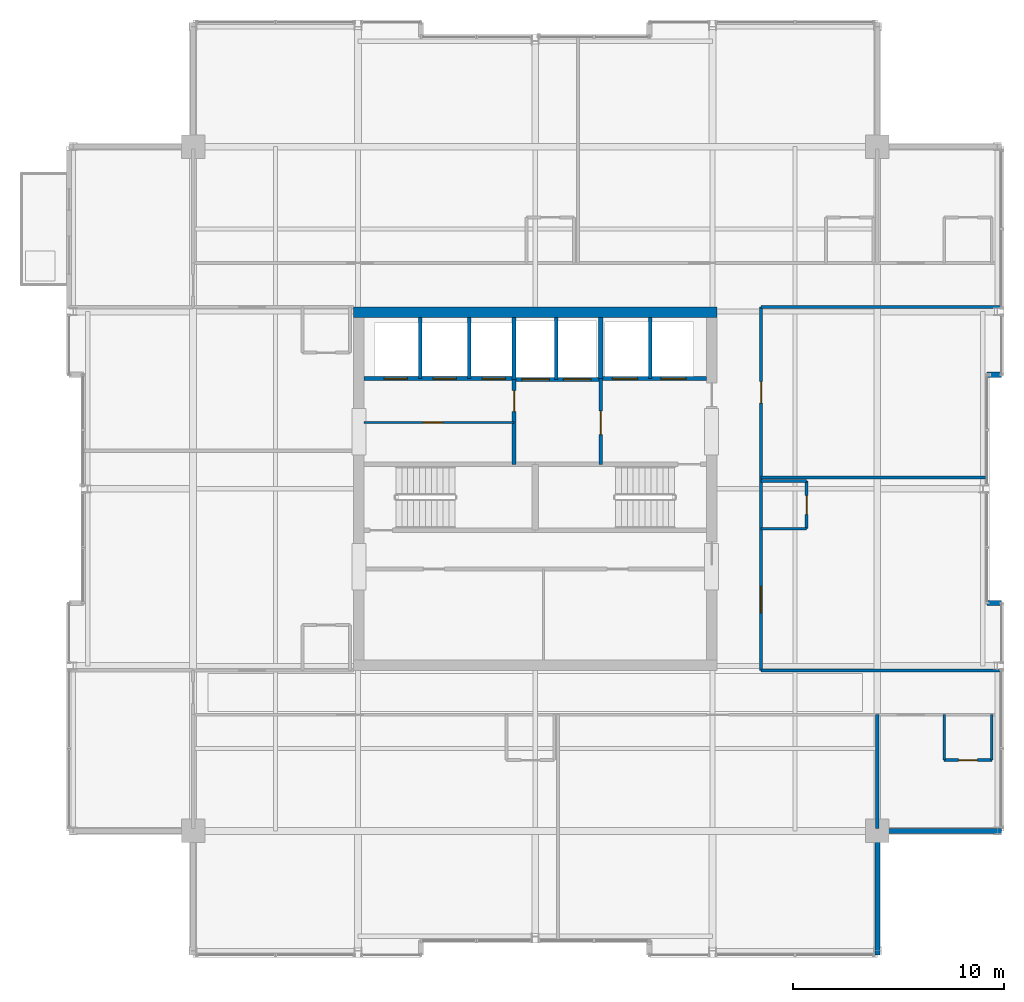
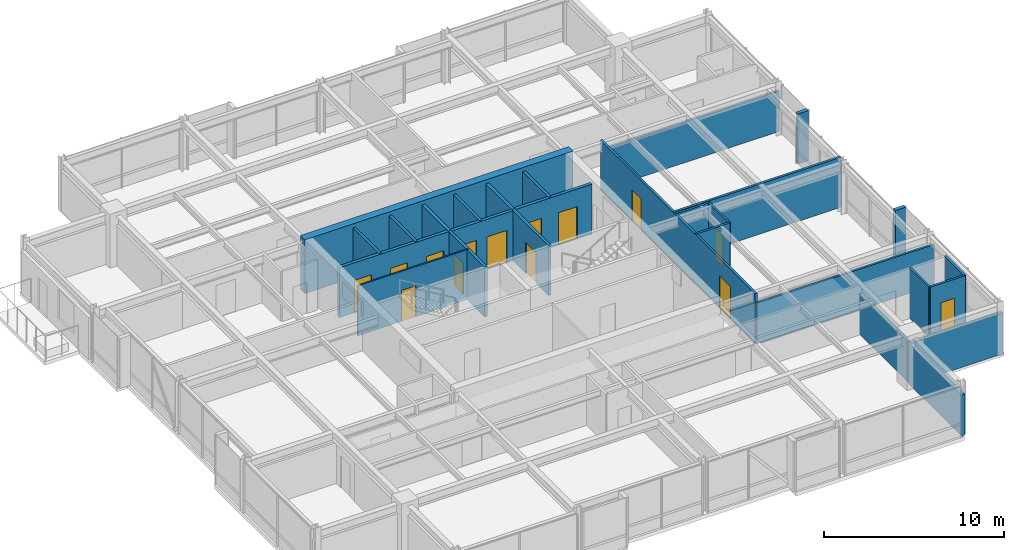
# One storey, part 29 of 33: 28 walls, 14 doors, 14 openings.
"""IFC4 building model written with IfcOpenShell, lengths in metres."""

from ifc_helpers import new_model, si_unit, direction, frame, frame_2d, origin, place, context, subcontext, project, spatial, rectangle, extrude, material, layer, layer_set, type_object, element, fill, save


model = new_model("IFC4")

# Units and contexts
model_context = context("Model", 3, precision=1e-05, world=origin(), true_north=direction((0.0, 1.0)))
body_context = subcontext(model_context, "Body", "Model", "MODEL_VIEW")
ifc_project = project(units=[si_unit("LENGTHUNIT", "METRE"), si_unit("AREAUNIT", "SQUARE_METRE"), si_unit("VOLUMEUNIT", "CUBIC_METRE"), si_unit("PLANEANGLEUNIT", "RADIAN"), si_unit("MASSUNIT", "GRAM", prefix="KILO")], contexts=[model_context])

# Site, building, storey
site_placement = place(None, origin())
site = spatial("IfcSite", under=ifc_project, at=site_placement, CompositionType="ELEMENT")
building_placement = place(site_placement, origin())
building = spatial("IfcBuilding", under=site, at=building_placement, Name="Drelvath Grand Hotel", CompositionType="ELEMENT")
storey_placement = place(building_placement, frame((0.0, 0.0, 279.60009765625)))
storey = spatial("IfcBuildingStorey", under=building, at=storey_placement, Name="L73", CompositionType="ELEMENT", Elevation=279.60009765625)

# Wall, opening, door
ifc_material_1 = material(Name="Gypsum Partition Board")
ifc_layer_1 = layer(ifc_material_1, 0.10009765625)
ifc_layer_set_1 = layer_set([ifc_layer_1], Name="Gypsum Partition Board")
wall_type_1 = type_object("IfcWallType", Name="Core Closet Partition 100", PredefinedType="PARTITIONING", material=ifc_layer_set_1)
wall_1_placement = place(storey_placement, frame((-8.10009765625, 30.139892578125, 0.0), z_axis=(0.0, 0.0, 1.0), x_axis=(1.0, 0.0, 0.0)))
wall_1 = element("IfcWall", 1, at=wall_1_placement, inside=storey, type_object=wall_type_1, Name="L73 High-Rise Lobby Closet Wall", PredefinedType="PARTITIONING", context=body_context, shape_type="SweptSolid", body=[
    extrude(rectangle(XDim=7.10009765625, YDim=0.10009765625, at=frame_2d((3.550048828125, 0.0))), origin(), (0.0, 0.0, 1.0), 3.389892578125),
])
opening_1_placement = place(wall_1_placement, frame((2.800048828125, 0.0, 0.0)))
opening_1 = element("IfcOpeningElement", 2, at=opening_1_placement, cuts=wall_1, Name="Opening D-T5G2-013", PredefinedType="OPENING", context=body_context, shape_type="SweptSolid", body=[
    extrude(rectangle(XDim=0.919921875, YDim=2.10009765625, at=frame_2d((0.4599609375, 1.050048828125))), frame((0.0, 0.06005859375, 0.0), z_axis=(0.0, -1.0, 0.0), x_axis=(1.0, 0.0, 0.0)), (0.0, 0.0, 1.0), 0.1201171875),
])
ifc_material_2 = material(Name="Painted Steel S275", Category="steel")
door_type_1 = type_object("IfcDoorType", Name="Staff Utility Door 920x2100", OperationType="NOTDEFINED", PredefinedType="DOOR", material=ifc_material_2)
door_1_placement = place(opening_1_placement, origin())
door_1 = element("IfcDoor", 3, at=door_1_placement, inside=storey, type_object=door_type_1, Name="L73 Core Telecom Door", OperationType="SINGLE_SWING_RIGHT", OverallHeight=2.10009765625, OverallWidth=0.919921875, PredefinedType="DOOR", context=body_context, shape_type="SweptSolid", body=[
    extrude(rectangle(XDim=0.919921875, YDim=2.10009765625, at=frame_2d((0.4599609375, 1.050048828125))), frame((0.0, 0.02490234375, 0.0), z_axis=(0.0, -1.0, 0.0), x_axis=(1.0, 0.0, 0.0)), (0.0, 0.0, 1.0), 0.050048828125),
])
fill(opening_1, door_1)

# Wall, openings, doors
ifc_material_3 = material(Name="Concrete C40/50", Category="concrete")
ifc_layer_2 = layer(ifc_material_3, 0.199951171875)
ifc_layer_set_2 = layer_set([ifc_layer_2], Name="Concrete C40/50")
wall_type_2 = type_object("IfcWallType", Name="Core Hoistway Fire Wall 200", PredefinedType="SOLIDWALL", material=ifc_layer_set_2)
wall_2_placement = place(storey_placement, frame((3.10009765625, 32.219970703125, 0.0), z_axis=(0.0, 0.0, 1.0), x_axis=(1.0, 0.0, 0.0)))
wall_2 = element("IfcWall", 4, at=wall_2_placement, inside=storey, type_object=wall_type_2, Name="L73 FSAE Hoistway Front Wall", PredefinedType="SOLIDWALL", context=body_context, shape_type="SweptSolid", body=[
    extrude(rectangle(XDim=5.0, YDim=0.199951171875, at=frame_2d((2.5, 0.0))), origin(), (0.0, 0.0, 1.0), 3.389892578125),
])
opening_2_placement = place(wall_2_placement, frame((0.550048828125, 0.0, 0.0)))
opening_2 = element("IfcOpeningElement", 5, at=opening_2_placement, cuts=wall_2, Name="Opening LD-FSAE-1", PredefinedType="OPENING", context=body_context, shape_type="SweptSolid", body=[
    extrude(rectangle(XDim=1.199951171875, YDim=2.199951171875, at=frame_2d((0.60009765625, 1.10009765625))), frame((0.0, 0.10986328125, 0.0), z_axis=(0.0, -1.0, 0.0), x_axis=(1.0, 0.0, 0.0)), (0.0, 0.0, 1.0), 0.219970703125),
])
opening_3_placement = place(wall_2_placement, frame((2.85009765625, 0.0, 0.0)))
opening_3 = element("IfcOpeningElement", 6, at=opening_3_placement, cuts=wall_2, Name="Opening LD-FSAE-2", PredefinedType="OPENING", context=body_context, shape_type="SweptSolid", body=[
    extrude(rectangle(XDim=1.199951171875, YDim=2.199951171875, at=frame_2d((0.60009765625, 1.10009765625))), frame((0.0, 0.10986328125, 0.0), z_axis=(0.0, -1.0, 0.0), x_axis=(1.0, 0.0, 0.0)), (0.0, 0.0, 1.0), 0.219970703125),
])
ifc_material_4 = material(Name="Stainless Steel S355", Category="steel")
door_type_2 = type_object("IfcDoorType", Name="FSAE Lift Sliding Landing Door 1200x2200", OperationType="NOTDEFINED", PredefinedType="DOOR", material=ifc_material_4)
door_2_placement = place(opening_2_placement, origin())
door_2 = element("IfcDoor", 7, at=door_2_placement, inside=storey, type_object=door_type_2, Name="L73 Lift FSAE-1 Landing Door", OperationType="SLIDING_TO_LEFT", OverallHeight=2.199951171875, OverallWidth=1.199951171875, PredefinedType="DOOR", context=body_context, shape_type="SweptSolid", body=[
    extrude(rectangle(XDim=1.199951171875, YDim=2.199951171875, at=frame_2d((0.60009765625, 1.10009765625))), frame((0.0, 0.02490234375, 0.0), z_axis=(0.0, -1.0, 0.0), x_axis=(1.0, 0.0, 0.0)), (0.0, 0.0, 1.0), 0.050048828125),
])
fill(opening_2, door_2)
door_3_placement = place(opening_3_placement, origin())
door_3 = element("IfcDoor", 8, at=door_3_placement, inside=storey, type_object=door_type_2, Name="L73 Lift FSAE-2 Landing Door", OperationType="SLIDING_TO_LEFT", OverallHeight=2.199951171875, OverallWidth=1.199951171875, PredefinedType="DOOR", context=body_context, shape_type="SweptSolid", body=[
    extrude(rectangle(XDim=1.199951171875, YDim=2.199951171875, at=frame_2d((0.60009765625, 1.10009765625))), frame((0.0, 0.02490234375, 0.0), z_axis=(0.0, -1.0, 0.0), x_axis=(1.0, 0.0, 0.0)), (0.0, 0.0, 1.0), 0.050048828125),
])
fill(opening_3, door_3)

# Wall
wall_3_placement = place(storey_placement, frame((3.10009765625, 32.219970703125, 0.0), z_axis=(0.0, 0.0, 1.0), x_axis=(0.0, 1.0, 0.0)))
element("IfcWall", 9, at=wall_3_placement, inside=storey, type_object=wall_type_2, Name="L73 FSAE Hoistway West Wall", PredefinedType="SOLIDWALL", context=body_context, shape_type="SweptSolid", body=[
    extrude(rectangle(XDim=2.880126953125, YDim=0.199951171875, at=frame_2d((1.43994140625, 0.0))), origin(), (0.0, 0.0, 1.0), 3.389892578125),
])

# Wall, openings, doors
wall_4_placement = place(storey_placement, frame((-1.0, 32.179931640625, 0.0), z_axis=(0.0, 0.0, 1.0), x_axis=(1.0, 0.0, 0.0)))
wall_4 = element("IfcWall", 10, at=wall_4_placement, inside=storey, type_object=wall_type_2, Name="L73 Service Lift Hoistway Wall", PredefinedType="SOLIDWALL", context=body_context, shape_type="SweptSolid", body=[
    extrude(rectangle(XDim=4.10009765625, YDim=0.199951171875, at=frame_2d((2.050048828125, 0.0))), origin(), (0.0, 0.0, 1.0), 3.389892578125),
])
opening_4_placement = place(wall_4_placement, frame((0.3701171875, 0.0, 0.0)))
opening_4 = element("IfcOpeningElement", 11, at=opening_4_placement, cuts=wall_4, Name="Opening LD-SV-2", PredefinedType="OPENING", context=body_context, shape_type="SweptSolid", body=[
    extrude(rectangle(XDim=1.300048828125, YDim=2.199951171875, at=frame_2d((0.64990234375, 1.10009765625))), frame((0.0, 0.10986328125, 0.0), z_axis=(0.0, -1.0, 0.0), x_axis=(1.0, 0.0, 0.0)), (0.0, 0.0, 1.0), 0.219970703125),
])
opening_5_placement = place(wall_4_placement, frame((2.330078125, 0.0, 0.0)))
opening_5 = element("IfcOpeningElement", 12, at=opening_5_placement, cuts=wall_4, Name="Opening LD-SV-1", PredefinedType="OPENING", context=body_context, shape_type="SweptSolid", body=[
    extrude(rectangle(XDim=1.300048828125, YDim=2.199951171875, at=frame_2d((0.64990234375, 1.10009765625))), frame((0.0, 0.10986328125, 0.0), z_axis=(0.0, -1.0, 0.0), x_axis=(1.0, 0.0, 0.0)), (0.0, 0.0, 1.0), 0.219970703125),
])
door_type_3 = type_object("IfcDoorType", Name="Service Lift Sliding Landing Door 1300x2200", OperationType="NOTDEFINED", PredefinedType="DOOR", material=ifc_material_4)
door_4_placement = place(opening_4_placement, origin())
door_4 = element("IfcDoor", 13, at=door_4_placement, inside=storey, type_object=door_type_3, Name="L73 Lift SV-2 Landing Door", OperationType="SLIDING_TO_LEFT", OverallHeight=2.199951171875, OverallWidth=1.300048828125, PredefinedType="DOOR", context=body_context, shape_type="SweptSolid", body=[
    extrude(rectangle(XDim=1.300048828125, YDim=2.199951171875, at=frame_2d((0.64990234375, 1.10009765625))), frame((0.0, 0.02490234375, 0.0), z_axis=(0.0, -1.0, 0.0), x_axis=(1.0, 0.0, 0.0)), (0.0, 0.0, 1.0), 0.050048828125),
])
fill(opening_4, door_4)
door_5_placement = place(opening_5_placement, origin())
door_5 = element("IfcDoor", 14, at=door_5_placement, inside=storey, type_object=door_type_3, Name="L73 Lift SV-1 Landing Door", OperationType="SLIDING_TO_LEFT", OverallHeight=2.199951171875, OverallWidth=1.300048828125, PredefinedType="DOOR", context=body_context, shape_type="SweptSolid", body=[
    extrude(rectangle(XDim=1.300048828125, YDim=2.199951171875, at=frame_2d((0.64990234375, 1.10009765625))), frame((0.0, 0.02490234375, 0.0), z_axis=(0.0, -1.0, 0.0), x_axis=(1.0, 0.0, 0.0)), (0.0, 0.0, 1.0), 0.050048828125),
])
fill(opening_5, door_5)

# Wall
wall_5_placement = place(storey_placement, frame((-1.0, 32.179931640625, 0.0), z_axis=(0.0, 0.0, 1.0), x_axis=(0.0, 1.0, 0.0)))
element("IfcWall", 15, at=wall_5_placement, inside=storey, type_object=wall_type_2, Name="L73 Service Lift West Wall", PredefinedType="SOLIDWALL", context=body_context, shape_type="SweptSolid", body=[
    extrude(rectangle(XDim=2.920166015625, YDim=0.199951171875, at=frame_2d((1.4599609375, 0.0))), origin(), (0.0, 0.0, 1.0), 3.389892578125),
])

# Wall, openings, doors
wall_6_placement = place(storey_placement, frame((-8.10009765625, 32.219970703125, 0.0), z_axis=(0.0, 0.0, 1.0), x_axis=(1.0, 0.0, 0.0)))
wall_6 = element("IfcWall", 16, at=wall_6_placement, inside=storey, type_object=wall_type_2, Name="L73 Bank 3 Hoistway Wall", PredefinedType="SOLIDWALL", context=body_context, shape_type="SweptSolid", body=[
    extrude(rectangle(XDim=7.10009765625, YDim=0.199951171875, at=frame_2d((3.550048828125, 0.0))), origin(), (0.0, 0.0, 1.0), 3.389892578125),
])
opening_6_placement = place(wall_6_placement, frame((0.949951171875, 0.0, 0.0)))
opening_6 = element("IfcOpeningElement", 17, at=opening_6_placement, cuts=wall_6, Name="Opening LD-PE-7", PredefinedType="OPENING", context=body_context, shape_type="SweptSolid", body=[
    extrude(rectangle(XDim=1.10009765625, YDim=2.199951171875, at=frame_2d((0.550048828125, 1.10009765625))), frame((0.0, 0.10986328125, 0.0), z_axis=(0.0, -1.0, 0.0), x_axis=(1.0, 0.0, 0.0)), (0.0, 0.0, 1.0), 0.219970703125),
])
opening_7_placement = place(wall_6_placement, frame((3.27001953125, 0.0, 0.0)))
opening_7 = element("IfcOpeningElement", 18, at=opening_7_placement, cuts=wall_6, Name="Opening LD-PE-8", PredefinedType="OPENING", context=body_context, shape_type="SweptSolid", body=[
    extrude(rectangle(XDim=1.10009765625, YDim=2.199951171875, at=frame_2d((0.550048828125, 1.10009765625))), frame((0.0, 0.10986328125, 0.0), z_axis=(0.0, -1.0, 0.0), x_axis=(1.0, 0.0, 0.0)), (0.0, 0.0, 1.0), 0.219970703125),
])
opening_8_placement = place(wall_6_placement, frame((5.590087890625, 0.0, 0.0)))
opening_8 = element("IfcOpeningElement", 19, at=opening_8_placement, cuts=wall_6, Name="Opening LD-PE-9", PredefinedType="OPENING", context=body_context, shape_type="SweptSolid", body=[
    extrude(rectangle(XDim=1.10009765625, YDim=2.199951171875, at=frame_2d((0.550048828125, 1.10009765625))), frame((0.0, 0.10986328125, 0.0), z_axis=(0.0, -1.0, 0.0), x_axis=(1.0, 0.0, 0.0)), (0.0, 0.0, 1.0), 0.219970703125),
])
door_type_4 = type_object("IfcDoorType", Name="Passenger Lift Sliding Landing Door 1100x2200", OperationType="NOTDEFINED", PredefinedType="DOOR", material=ifc_material_4)
door_6_placement = place(opening_6_placement, origin())
door_6 = element("IfcDoor", 20, at=door_6_placement, inside=storey, type_object=door_type_4, Name="L73 Lift PE-7 Landing Door", OperationType="SLIDING_TO_LEFT", OverallHeight=2.199951171875, OverallWidth=1.10009765625, PredefinedType="DOOR", context=body_context, shape_type="SweptSolid", body=[
    extrude(rectangle(XDim=1.10009765625, YDim=2.199951171875, at=frame_2d((0.550048828125, 1.10009765625))), frame((0.0, 0.02490234375, 0.0), z_axis=(0.0, -1.0, 0.0), x_axis=(1.0, 0.0, 0.0)), (0.0, 0.0, 1.0), 0.050048828125),
])
fill(opening_6, door_6)
door_7_placement = place(opening_7_placement, origin())
door_7 = element("IfcDoor", 21, at=door_7_placement, inside=storey, type_object=door_type_4, Name="L73 Lift PE-8 Landing Door", OperationType="SLIDING_TO_LEFT", OverallHeight=2.199951171875, OverallWidth=1.10009765625, PredefinedType="DOOR", context=body_context, shape_type="SweptSolid", body=[
    extrude(rectangle(XDim=1.10009765625, YDim=2.199951171875, at=frame_2d((0.550048828125, 1.10009765625))), frame((0.0, 0.02490234375, 0.0), z_axis=(0.0, -1.0, 0.0), x_axis=(1.0, 0.0, 0.0)), (0.0, 0.0, 1.0), 0.050048828125),
])
fill(opening_7, door_7)
door_8_placement = place(opening_8_placement, origin())
door_8 = element("IfcDoor", 22, at=door_8_placement, inside=storey, type_object=door_type_4, Name="L73 Lift PE-9 Landing Door", OperationType="SLIDING_TO_LEFT", OverallHeight=2.199951171875, OverallWidth=1.10009765625, PredefinedType="DOOR", context=body_context, shape_type="SweptSolid", body=[
    extrude(rectangle(XDim=1.10009765625, YDim=2.199951171875, at=frame_2d((0.550048828125, 1.10009765625))), frame((0.0, 0.02490234375, 0.0), z_axis=(0.0, -1.0, 0.0), x_axis=(1.0, 0.0, 0.0)), (0.0, 0.0, 1.0), 0.050048828125),
])
fill(opening_8, door_8)

# Walls
ifc_material_5 = material(Name="Gypsum Fireboard Partition")
ifc_layer_3 = layer(ifc_material_5, 0.1650390625)
ifc_layer_set_3 = layer_set([ifc_layer_3], Name="Gypsum Fireboard Partition")
wall_type_3 = type_object("IfcWallType", Name="Core Shaft Partition 165", PredefinedType="PARTITIONING", material=ifc_layer_set_3)
wall_7_placement = place(storey_placement, frame((5.449951171875, 32.219970703125, 0.0), z_axis=(0.0, 0.0, 1.0), x_axis=(0.0, 1.0, 0.0)))
element("IfcWall", 23, at=wall_7_placement, inside=storey, type_object=wall_type_3, Name="L73 FSAE Hoistway Divider", PredefinedType="PARTITIONING", context=body_context, shape_type="SweptSolid", body=[
    extrude(rectangle(XDim=2.880126953125, YDim=0.1650390625, at=frame_2d((1.43994140625, 0.0))), origin(), (0.0, 0.0, 1.0), 3.389892578125),
])
wall_8_placement = place(storey_placement, frame((1.0, 32.179931640625, 0.0), z_axis=(0.0, 0.0, 1.0), x_axis=(0.0, 1.0, 0.0)))
element("IfcWall", 24, at=wall_8_placement, inside=storey, type_object=wall_type_3, Name="L73 Service Lift Divider", PredefinedType="PARTITIONING", context=body_context, shape_type="SweptSolid", body=[
    extrude(rectangle(XDim=2.920166015625, YDim=0.1650390625, at=frame_2d((1.4599609375, 0.0))), origin(), (0.0, 0.0, 1.0), 3.389892578125),
])
for number, where, z_axis, x_axis, name in (
    (25, (-5.43994140625, 32.219970703125, 0.0), (0.0, 0.0, 1.0), (0.0, 1.0, 0.0), "L73 Lift PE-7/8 Divider"),
    (26, (-3.1201171875, 32.219970703125, 0.0), (0.0, 0.0, 1.0), (0.0, 1.0, 0.0), "L73 Lift PE-8/9 Divider"),
):
    element("IfcWall", number, at=place(storey_placement, frame(where, z_axis=z_axis, x_axis=x_axis)), inside=storey, type_object=wall_type_3, Name=name, PredefinedType="PARTITIONING", context=body_context, shape_type="SweptSolid", body=[
        extrude(rectangle(XDim=2.880126953125, YDim=0.1650390625, at=frame_2d((1.43994140625, 0.0))), origin(), (0.0, 0.0, 1.0), 3.389892578125),
    ])
ifc_layer_4 = layer(ifc_material_5, 0.135009765625)
ifc_layer_set_4 = layer_set([ifc_layer_4], Name="Gypsum Fireboard Partition")
wall_type_4 = type_object("IfcWallType", Name="Corridor Fire Barrier Wall 135", PredefinedType="PARTITIONING", material=ifc_layer_set_4)
for number, where, z_axis, x_axis, name in (
    (27, (10.699951171875, 18.39990234375, 0.0), (0.0, 0.0, 1.0), (1.0, 0.0, 0.0), "L73 South Gallery Inner East Wall"),
    (28, (10.699951171875, 35.60009765625, 0.0), (0.0, 0.0, 1.0), (1.0, 0.0, 0.0), "L73 North Gallery Inner East Wall"),
):
    element("IfcWall", number, at=place(storey_placement, frame(where, z_axis=z_axis, x_axis=x_axis)), inside=storey, type_object=wall_type_4, Name=name, PredefinedType="PARTITIONING", context=body_context, shape_type="SweptSolid", body=[
        extrude(rectangle(XDim=11.380126953125, YDim=0.135009765625, at=frame_2d((5.68994140625, 0.0))), origin(), (0.0, 0.0, 1.0), 2.767333984375),
    ])

# Wall, openings, doors
wall_9_placement = place(storey_placement, frame((10.699951171875, 18.39990234375, 0.0), z_axis=(0.0, 0.0, 1.0), x_axis=(0.0, 1.0, 0.0)))
wall_9 = element("IfcWall", 29, at=wall_9_placement, inside=storey, type_object=wall_type_4, Name="L73 East Gallery Link Wall", PredefinedType="PARTITIONING", context=body_context, shape_type="SweptSolid", body=[
    extrude(rectangle(XDim=17.2001953125, YDim=0.135009765625, at=frame_2d((8.60009765625, 0.0))), origin(), (0.0, 0.0, 1.0), 3.389892578125),
])
opening_9_placement = place(wall_9_placement, frame((2.723876953125, 0.0, 0.0)))
opening_9 = element("IfcOpeningElement", 30, at=opening_9_placement, cuts=wall_9, Name="Opening D-T5G2-031", PredefinedType="OPENING", context=body_context, shape_type="SweptSolid", body=[
    extrude(rectangle(XDim=1.260009765625, YDim=2.199951171875, at=frame_2d((0.6298828125, 1.10009765625))), frame((0.0, 0.077392578125, 0.0), z_axis=(0.0, -1.0, 0.0), x_axis=(1.0, 0.0, 0.0)), (0.0, 0.0, 1.0), 0.155029296875),
])
opening_10_placement = place(wall_9_placement, frame((12.65869140625, 0.0, 0.0)))
opening_10 = element("IfcOpeningElement", 31, at=opening_10_placement, cuts=wall_9, Name="Opening D-T5G2-032", PredefinedType="OPENING", context=body_context, shape_type="SweptSolid", body=[
    extrude(rectangle(XDim=1.02001953125, YDim=2.14990234375, at=frame_2d((0.510009765625, 1.074951171875))), frame((0.0, 0.077392578125, 0.0), z_axis=(0.0, -1.0, 0.0), x_axis=(1.0, 0.0, 0.0)), (0.0, 0.0, 1.0), 0.155029296875),
])
ifc_material_6 = material(Name="Hardwood Walnut Timber", Category="wood")
door_type_5 = type_object("IfcDoorType", Name="Amenity Meeting Fire Door 1020x2150", OperationType="NOTDEFINED", PredefinedType="DOOR", material=ifc_material_6)
door_9_placement = place(opening_10_placement, origin())
door_9 = element("IfcDoor", 32, at=door_9_placement, inside=storey, type_object=door_type_5, Name="L73 Curated Library Study Entry Door", OperationType="SINGLE_SWING_LEFT", OverallHeight=2.14990234375, OverallWidth=1.02001953125, PredefinedType="DOOR", context=body_context, shape_type="SweptSolid", body=[
    extrude(rectangle(XDim=1.02001953125, YDim=2.14990234375, at=frame_2d((0.510009765625, 1.074951171875))), frame((0.0, 0.02490234375, 0.0), z_axis=(0.0, -1.0, 0.0), x_axis=(1.0, 0.0, 0.0)), (0.0, 0.0, 1.0), 0.050048828125),
])
fill(opening_10, door_9)
door_type_6 = type_object("IfcDoorType", Name="Suite Entrance Fire Door 1260x2200", OperationType="NOTDEFINED", PredefinedType="DOOR", material=ifc_material_6)
door_10_placement = place(opening_9_placement, origin())
door_10 = element("IfcDoor", 33, at=door_10_placement, inside=storey, type_object=door_type_6, Name="L73 Royal Suite Entry Door", OperationType="SINGLE_SWING_RIGHT", OverallHeight=2.199951171875, OverallWidth=1.260009765625, PredefinedType="DOOR", context=body_context, shape_type="SweptSolid", body=[
    extrude(rectangle(XDim=1.260009765625, YDim=2.199951171875, at=frame_2d((0.6298828125, 1.10009765625))), frame((0.0, 0.02490234375, 0.0), z_axis=(0.0, -1.0, 0.0), x_axis=(1.0, 0.0, 0.0)), (0.0, 0.0, 1.0), 0.050048828125),
])
fill(opening_9, door_10)

# Walls
ifc_material_7 = material(Name="Moisture-Resistant Gypsum Board")
ifc_layer_5 = layer(ifc_material_7, 0.139892578125)
ifc_layer_set_5 = layer_set([ifc_layer_5], Name="Moisture-Resistant Gypsum Board")
wall_type_5 = type_object("IfcWallType", Name="En-Suite Plumbing Wall 140", PredefinedType="PLUMBINGWALL", material=ifc_layer_set_5)
for number, where, z_axis, x_axis, name in (
    (34, (19.3701171875, 16.300048828125, 0.0), (0.0, 0.0, 1.0), (0.0, -1.0, 0.0), "L73 En-Suite Left Wall"),
    (35, (21.6201171875, 16.300048828125, 0.0), (0.0, 0.0, 1.0), (0.0, -1.0, 0.0), "L73 En-Suite Right Wall"),
):
    element("IfcWall", number, at=place(storey_placement, frame(where, z_axis=z_axis, x_axis=x_axis)), inside=storey, type_object=wall_type_5, Name=name, PredefinedType="PLUMBINGWALL", context=body_context, shape_type="SweptSolid", body=[
        extrude(rectangle(XDim=2.150146484375, YDim=0.139892578125, at=frame_2d((1.0751953125, 0.0))), origin(), (0.0, 0.0, 1.0), 3.389892578125),
    ])

# Wall, opening, door
wall_10_placement = place(storey_placement, frame((19.3701171875, 14.14990234375, 0.0), z_axis=(0.0, 0.0, 1.0), x_axis=(1.0, 0.0, 0.0)))
wall_10 = element("IfcWall", 36, at=wall_10_placement, inside=storey, type_object=wall_type_5, Name="L73 En-Suite Front Wall", PredefinedType="PLUMBINGWALL", context=body_context, shape_type="SweptSolid", body=[
    extrude(rectangle(XDim=2.25, YDim=0.139892578125, at=frame_2d((1.125, 0.0))), origin(), (0.0, 0.0, 1.0), 3.389892578125),
])
opening_11_placement = place(wall_10_placement, frame((0.68505859375, 0.0, 0.0)))
opening_11 = element("IfcOpeningElement", 37, at=opening_11_placement, cuts=wall_10, Name="Opening D-T5G2-019", PredefinedType="OPENING", context=body_context, shape_type="SweptSolid", body=[
    extrude(rectangle(XDim=0.8798828125, YDim=2.10009765625, at=frame_2d((0.43994140625, 1.050048828125))), frame((0.0, 0.079833984375, 0.0), z_axis=(0.0, -1.0, 0.0), x_axis=(1.0, 0.0, 0.0)), (0.0, 0.0, 1.0), 0.159912109375),
])
door_type_7 = type_object("IfcDoorType", Name="En-Suite Bathroom Door 880x2100", OperationType="NOTDEFINED", PredefinedType="DOOR", material=ifc_material_6)
door_11_placement = place(opening_11_placement, origin())
door_11 = element("IfcDoor", 38, at=door_11_placement, inside=storey, type_object=door_type_7, Name="L73 En-Suite Bathroom Door", OperationType="SINGLE_SWING_RIGHT", OverallHeight=2.10009765625, OverallWidth=0.8798828125, PredefinedType="DOOR", context=body_context, shape_type="SweptSolid", body=[
    extrude(rectangle(XDim=0.8798828125, YDim=2.10009765625, at=frame_2d((0.43994140625, 1.050048828125))), frame((0.0, 0.02490234375, 0.0), z_axis=(0.0, -1.0, 0.0), x_axis=(1.0, 0.0, 0.0)), (0.0, 0.0, 1.0), 0.050048828125),
])
fill(opening_11, door_11)

# Walls
for number, where, z_axis, x_axis, name in (
    (39, (10.699951171875, 25.107421875, 0.0), (0.0, 0.0, 1.0), (1.0, 0.0, 0.0), "L73 En-Suite Left Wall"),
    (40, (10.699951171875, 27.357421875, 0.0), (0.0, 0.0, 1.0), (1.0, 0.0, 0.0), "L73 En-Suite Right Wall"),
):
    element("IfcWall", number, at=place(storey_placement, frame(where, z_axis=z_axis, x_axis=x_axis)), inside=storey, type_object=wall_type_5, Name=name, PredefinedType="PLUMBINGWALL", context=body_context, shape_type="SweptSolid", body=[
        extrude(rectangle(XDim=2.150146484375, YDim=0.139892578125, at=frame_2d((1.0751953125, 0.0))), origin(), (0.0, 0.0, 1.0), 3.389892578125),
    ])

# Wall, opening, door
wall_11_placement = place(storey_placement, frame((12.85009765625, 25.107421875, 0.0), z_axis=(0.0, 0.0, 1.0), x_axis=(0.0, 1.0, 0.0)))
wall_11 = element("IfcWall", 41, at=wall_11_placement, inside=storey, type_object=wall_type_5, Name="L73 En-Suite Front Wall", PredefinedType="PLUMBINGWALL", context=body_context, shape_type="SweptSolid", body=[
    extrude(rectangle(XDim=2.25, YDim=0.139892578125, at=frame_2d((1.125, 0.0))), origin(), (0.0, 0.0, 1.0), 3.389892578125),
])
opening_12_placement = place(wall_11_placement, frame((0.68505859375, 0.0, 0.0)))
opening_12 = element("IfcOpeningElement", 42, at=opening_12_placement, cuts=wall_11, Name="Opening D-T5G2-030", PredefinedType="OPENING", context=body_context, shape_type="SweptSolid", body=[
    extrude(rectangle(XDim=0.8798828125, YDim=2.10009765625, at=frame_2d((0.43994140625, 1.050048828125))), frame((0.0, 0.079833984375, 0.0), z_axis=(0.0, -1.0, 0.0), x_axis=(1.0, 0.0, 0.0)), (0.0, 0.0, 1.0), 0.159912109375),
])
door_12_placement = place(opening_12_placement, origin())
door_12 = element("IfcDoor", 43, at=door_12_placement, inside=storey, type_object=door_type_7, Name="L73 En-Suite Bathroom Door", OperationType="SINGLE_SWING_LEFT", OverallHeight=2.10009765625, OverallWidth=0.8798828125, PredefinedType="DOOR", context=body_context, shape_type="SweptSolid", body=[
    extrude(rectangle(XDim=0.8798828125, YDim=2.10009765625, at=frame_2d((0.43994140625, 1.050048828125))), frame((0.0, 0.02490234375, 0.0), z_axis=(0.0, -1.0, 0.0), x_axis=(1.0, 0.0, 0.0)), (0.0, 0.0, 1.0), 0.050048828125),
])
fill(opening_12, door_12)

ifc_layer_6 = layer(ifc_material_5, 0.179931640625)
ifc_layer_set_6 = layer_set([ifc_layer_6], Name="Gypsum Fireboard Partition")
wall_type_6 = type_object("IfcWallType", Name="FSAE Smoke Lobby Fire Wall 180", PredefinedType="SOLIDWALL", material=ifc_layer_set_6)
wall_12_placement = place(storey_placement, frame((3.10009765625, 28.159912109375, 0.0), z_axis=(0.0, 0.0, 1.0), x_axis=(0.0, 1.0, 0.0)))
wall_12 = element("IfcWall", 44, at=wall_12_placement, inside=storey, type_object=wall_type_6, Name="L73 FSAE Smoke Lobby West Wall", PredefinedType="SOLIDWALL", context=body_context, shape_type="SweptSolid", body=[
    extrude(rectangle(XDim=4.06005859375, YDim=0.179931640625, at=frame_2d((2.030029296875, 0.0))), origin(), (0.0, 0.0, 1.0), 3.389892578125),
])
opening_13_placement = place(wall_12_placement, frame((1.39990234375, 0.0, 0.0)))
opening_13 = element("IfcOpeningElement", 45, at=opening_13_placement, cuts=wall_12, Name="Opening D-T5G2-005", PredefinedType="OPENING", context=body_context, shape_type="SweptSolid", body=[
    extrude(rectangle(XDim=1.1201171875, YDim=2.10009765625, at=frame_2d((0.56005859375, 1.050048828125))), frame((0.0, 0.099853515625, 0.0), z_axis=(0.0, -1.0, 0.0), x_axis=(1.0, 0.0, 0.0)), (0.0, 0.0, 1.0), 0.199951171875),
])
door_type_8 = type_object("IfcDoorType", Name="FSAE Smoke Lobby Fire Door 1120x2100", OperationType="NOTDEFINED", PredefinedType="DOOR", material=ifc_material_2)
door_13_placement = place(opening_13_placement, origin())
door_13 = element("IfcDoor", 46, at=door_13_placement, inside=storey, type_object=door_type_8, Name="L73 FSAE Lobby Service Vestibule Door", OperationType="SINGLE_SWING_RIGHT", OverallHeight=2.10009765625, OverallWidth=1.1201171875, PredefinedType="DOOR", context=body_context, shape_type="SweptSolid", body=[
    extrude(rectangle(XDim=1.1201171875, YDim=2.10009765625, at=frame_2d((0.56005859375, 1.050048828125))), frame((0.0, 0.02490234375, 0.0), z_axis=(0.0, -1.0, 0.0), x_axis=(1.0, 0.0, 0.0)), (0.0, 0.0, 1.0), 0.050048828125),
])
fill(opening_13, door_13)

wall_13_placement = place(storey_placement, frame((-1.0, 28.159912109375, 0.0), z_axis=(0.0, 0.0, 1.0), x_axis=(0.0, 1.0, 0.0)))
wall_13 = element("IfcWall", 47, at=wall_13_placement, inside=storey, type_object=wall_type_6, Name="L73 Service Vestibule West Wall", PredefinedType="SOLIDWALL", context=body_context, shape_type="SweptSolid", body=[
    extrude(rectangle(XDim=4.02001953125, YDim=0.179931640625, at=frame_2d((2.010009765625, 0.0))), origin(), (0.0, 0.0, 1.0), 3.389892578125),
])
opening_14_placement = place(wall_13_placement, frame((2.489990234375, 0.0, 0.0)))
opening_14 = element("IfcOpeningElement", 48, at=opening_14_placement, cuts=wall_13, Name="Opening D-T5G2-009", PredefinedType="OPENING", context=body_context, shape_type="SweptSolid", body=[
    extrude(rectangle(XDim=1.0, YDim=2.10009765625, at=frame_2d((0.5, 1.050048828125))), frame((0.0, 0.099853515625, 0.0), z_axis=(0.0, -1.0, 0.0), x_axis=(1.0, 0.0, 0.0)), (0.0, 0.0, 1.0), 0.199951171875),
])
door_type_9 = type_object("IfcDoorType", Name="Core Service Fire Door 1000x2100", OperationType="NOTDEFINED", PredefinedType="DOOR", material=ifc_material_2)
door_14_placement = place(opening_14_placement, origin())
door_14 = element("IfcDoor", 49, at=door_14_placement, inside=storey, type_object=door_type_9, Name="L73 Service Vestibule West Door", OperationType="SINGLE_SWING_LEFT", OverallHeight=2.10009765625, OverallWidth=1.0, PredefinedType="DOOR", context=body_context, shape_type="SweptSolid", body=[
    extrude(rectangle(XDim=1.0, YDim=2.10009765625, at=frame_2d((0.5, 1.050048828125))), frame((0.0, 0.02490234375, 0.0), z_axis=(0.0, -1.0, 0.0), x_axis=(1.0, 0.0, 0.0)), (0.0, 0.0, 1.0), 0.050048828125),
])
fill(opening_14, door_14)

# Walls
ifc_material_8 = material(Name="Gypsum Acoustic Partition")
ifc_layer_7 = layer(ifc_material_8, 0.14990234375)
ifc_layer_set_7 = layer_set([ifc_layer_7], Name="Gypsum Acoustic Partition")
wall_type_7 = type_object("IfcWallType", Name="Guestroom Demising Wall 150", PredefinedType="PARTITIONING", material=ifc_layer_set_7)
wall_14_placement = place(storey_placement, frame((10.699951171875, 27.53759765625, 0.0), z_axis=(0.0, 0.0, 1.0), x_axis=(1.0, 0.0, 0.0)))
element("IfcWall", 50, at=wall_14_placement, inside=storey, type_object=wall_type_7, Name="L73 East Demising 1", PredefinedType="PARTITIONING", context=body_context, shape_type="SweptSolid", body=[
    extrude(rectangle(XDim=10.699951171875, YDim=0.14990234375, at=frame_2d((5.35009765625, 0.0))), origin(), (0.0, 0.0, 1.0), 3.389892578125),
])
ifc_layer_8 = layer(ifc_material_8, 0.1650390625)
ifc_layer_set_8 = layer_set([ifc_layer_8], Name="Gypsum Acoustic Partition")
wall_type_8 = type_object("IfcWallType", Name="Suite Demising Wall 165", PredefinedType="PARTITIONING", material=ifc_layer_set_8)
wall_15_placement = place(storey_placement, frame((16.199951171875, 10.919921875, 0.0), z_axis=(0.0, 0.0, 1.0), x_axis=(0.0, 1.0, 0.0)))
element("IfcWall", 51, at=wall_15_placement, inside=storey, type_object=wall_type_8, Name="L73 SE Suite Wall", PredefinedType="PARTITIONING", context=body_context, shape_type="SweptSolid", body=[
    extrude(rectangle(XDim=5.380126953125, YDim=0.1650390625, at=frame_2d((2.68994140625, 0.0))), origin(), (0.0, 0.0, 1.0), 2.763916015625),
])
ifc_material_9 = material(Name="Pale-Metal Insulated Aluminium Spandrel Assembly", Category="aluminium")
ifc_layer_9 = layer(ifc_material_9, 0.239990234375)
ifc_layer_set_9 = layer_set([ifc_layer_9], Name="Pale-Metal Insulated Aluminium Spandrel Assembly")
wall_type_9 = type_object("IfcWallType", Name="Tower Insulated Metal Spandrel Closure Wall 240", PredefinedType="STANDARD", material=ifc_layer_set_9)
for number, where, z_axis, x_axis, name in (
    (52, (22.080078125, 10.800048828125, 0.0), (0.0, 0.0, 1.0), (-1.0, 0.0, 0.0), "L73 Notched Corner Return Spandrel Wall CSE1"),
    (53, (16.199951171875, 10.800048828125, 0.0), (0.0, 0.0, 1.0), (0.0, -1.0, 0.0), "L73 Notched Corner Return Spandrel Wall CSE2"),
):
    element("IfcWall", number, at=place(storey_placement, frame(where, z_axis=z_axis, x_axis=x_axis)), inside=storey, type_object=wall_type_9, Name=name, PredefinedType="STANDARD", context=body_context, shape_type="SweptSolid", body=[
        extrude(rectangle(XDim=5.880126953125, YDim=0.239990234375, at=frame_2d((2.93994140625, 0.0))), origin(), (0.0, 0.0, 1.0), 2.77880859375),
    ])
for number, where, z_axis, x_axis, name in (
    (54, (22.080078125, 32.39990234375, 0.0), (0.0, 0.0, 1.0), (-1.0, 0.0, 0.0), "L73 Notched Corner Return Spandrel Wall RE1"),
    (55, (21.39990234375, 21.60009765625, 0.0), (0.0, 0.0, 1.0), (1.0, 0.0, 0.0), "L73 Notched Corner Return Spandrel Wall RE2"),
):
    element("IfcWall", number, at=place(storey_placement, frame(where, z_axis=z_axis, x_axis=x_axis)), inside=storey, type_object=wall_type_9, Name=name, PredefinedType="STANDARD", context=body_context, shape_type="SweptSolid", body=[
        extrude(rectangle(XDim=0.68017578125, YDim=0.239990234375, at=frame_2d((0.340087890625, 0.0))), origin(), (0.0, 0.0, 1.0), 3.389892578125),
    ])
ifc_material_10 = material(Name="Concrete f'c 55 MPa", Category="concrete")
ifc_layer_10 = layer(ifc_material_10, 0.5)
ifc_layer_set_10 = layer_set([ifc_layer_10], Name="Concrete f'c 55 MPa")
wall_type_10 = type_object("IfcWallType", Name="Upper Core RC Shear Wall 500", PredefinedType="SHEAR", material=ifc_layer_set_10)
wall_16_placement = place(storey_placement, frame((-8.60009765625, 35.35009765625, 0.0), z_axis=(0.0, 0.0, 1.0), x_axis=(1.0, 0.0, 0.0)))
element("IfcWall", 56, at=wall_16_placement, inside=storey, type_object=wall_type_10, Name="L73 Central Core Shear Wall N", PredefinedType="SHEAR", context=body_context, shape_type="SweptSolid", body=[
    extrude(rectangle(XDim=17.2001953125, YDim=0.5, at=frame_2d((8.60009765625, 0.0))), origin(), (0.0, 0.0, 1.0), 3.64990234375),
])

save(model, "model.ifc")
